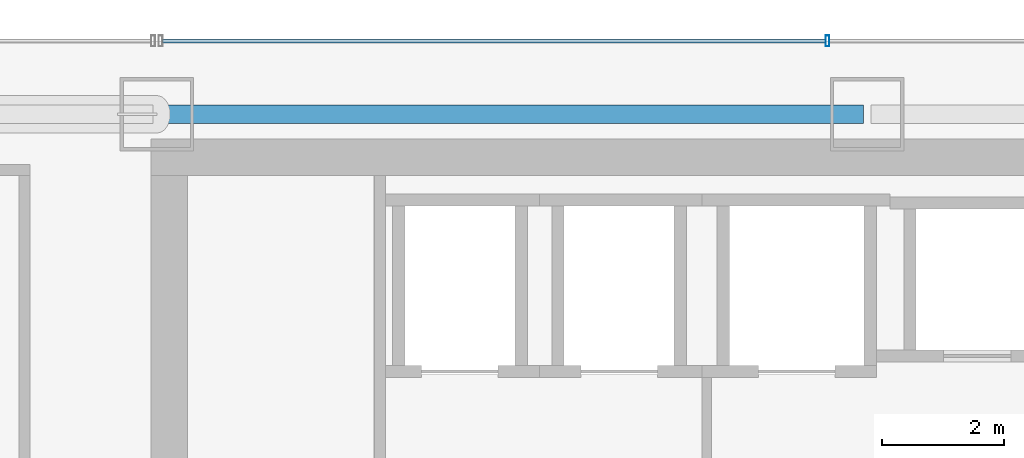
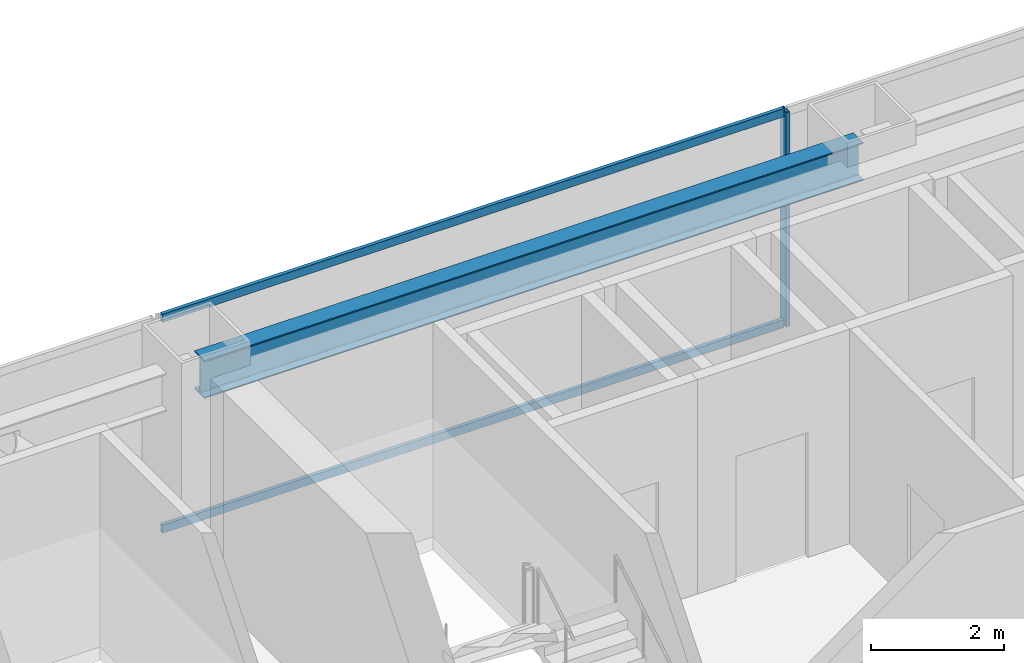
# One storey, part 27 of 47: 3 members, 1 beam, 1 element without a shape of its own.
"""IFC4 building model written with IfcOpenShell, lengths in metres."""

from ifc_helpers import new_model, si_unit, direction, frame, origin, origin_2d, place, context, subcontext, project, spatial, hollow_rectangle, i_section, extrude, material, material_profile, profile_set, type_object, element, aggregate, save


model = new_model("IFC4")

# Units and contexts
model_context = context("Model", 3, precision=1e-05, world=origin(), true_north=direction((0.0, 1.0)))
body_context = subcontext(model_context, "Body", "Model", "MODEL_VIEW")
ifc_project = project(units=[si_unit("LENGTHUNIT", "METRE"), si_unit("AREAUNIT", "SQUARE_METRE"), si_unit("VOLUMEUNIT", "CUBIC_METRE"), si_unit("PLANEANGLEUNIT", "RADIAN"), si_unit("MASSUNIT", "GRAM", prefix="KILO")], contexts=[model_context])

# Site, building, storey
site_placement = place(None, origin())
site = spatial("IfcSite", under=ifc_project, at=site_placement, CompositionType="ELEMENT")
building_placement = place(site_placement, origin())
building = spatial("IfcBuilding", under=site, at=building_placement, Name="Saevonmaru Cultural Tower", CompositionType="ELEMENT")
storey_placement = place(building_placement, frame((0.0, 0.0, 82.39990234375)))
storey = spatial("IfcBuildingStorey", under=building, at=storey_placement, Name="L17", CompositionType="ELEMENT", Elevation=82.39990234375)

# Beam
ifc_material_1 = material(Name="Steel SM355", Category="steel")
ifc_material_profile_1 = material_profile(ifc_material_1, i_section(OverallWidth=0.300048828125, OverallDepth=0.699951171875, WebThickness=0.012939453125, FlangeThickness=0.02392578125, FilletRadius=0.02587890625, at=origin_2d()), Name="H-700x300x13x24")
ifc_profile_set_1 = profile_set([ifc_material_profile_1], Name="Steel SM355")
beam_type = type_object("IfcBeamType", Name="BM-SP-H700", PredefinedType="SPANDREL", material=ifc_profile_set_1)
beam_placement = place(storey_placement, frame((13.659912109375, 54.800048828125, 3.60009765625), z_axis=(1.0, 0.0, 0.0), x_axis=(0.0, 1.0, 0.0)))
element("IfcBeam", 1, at=beam_placement, inside=storey, type_object=beam_type, Name="L17 North Spine Girder 2", PredefinedType="SPANDREL", context=body_context, shape_type="SweptSolid", body=[
    extrude(i_section(OverallWidth=0.300048828125, OverallDepth=0.699951171875, WebThickness=0.012939453125, FlangeThickness=0.02392578125, FilletRadius=0.02587890625, at=origin_2d()), origin(), (0.0, 0.0, 1.0), 11.47998046875),
])

# Curtain wall, members
ifc_material_2 = material(Name="Satin Bronze Anodised Aluminium", Category="aluminium")
curtain_wall_type = type_object("IfcCurtainWallType", Name="CW-TYP-A", PredefinedType="NOTDEFINED", material=ifc_material_2)
curtain_wall_placement = place(storey_placement, origin())
curtain_wall = element("IfcCurtainWall", 2, at=curtain_wall_placement, inside=storey, type_object=curtain_wall_type, Name="L17 North Spine Unitised Curtain Wall E10B", PredefinedType="NOTDEFINED")
ifc_material_profile_2 = material_profile(ifc_material_2, hollow_rectangle(XDim=0.06494140625, YDim=0.179931640625, WallThickness=0.00390625, at=origin_2d()), Name="ALU-MULL-180x65x4")
ifc_profile_set_2 = profile_set([ifc_material_profile_2], Name="Satin Bronze Anodised Aluminium")
member_type_1 = type_object("IfcMemberType", Name="ML-CW-180x65", PredefinedType="MULLION", material=ifc_profile_set_2)
member_1_placement = place(storey_placement, frame((24.55322265625, 56.0, 0.0), z_axis=(0.0, 0.0, 1.0), x_axis=(-1.0, 0.0, 0.0)))
member_1 = element("IfcMember", 3, at=member_1_placement, type_object=member_type_1, Name="CW-TW-L17-E10B mullion 3", PredefinedType="MULLION", context=body_context, shape_type="SweptSolid", body=[
    extrude(hollow_rectangle(XDim=0.06494140625, YDim=0.179931640625, WallThickness=0.00390625, at=origin_2d()), origin(), (0.0, 0.0, 1.0), 3.9501953125),
])
ifc_material_profile_3 = material_profile(ifc_material_2, hollow_rectangle(XDim=0.06494140625, YDim=0.14990234375, WallThickness=0.00390625, at=origin_2d()), Name="ALU-TRAN-150x65x4")
ifc_profile_set_3 = profile_set([ifc_material_profile_3], Name="Satin Bronze Anodised Aluminium")
member_type_2 = type_object("IfcMemberType", Name="TR-CW-150x65", PredefinedType="USERDEFINED", material=ifc_profile_set_3)
member_2_placement = place(storey_placement, frame((24.520751953125, 56.0, 0.03271484375), z_axis=(-1.0, 0.0, 0.0), x_axis=(0.0, -1.0, 0.0)))
member_2 = element("IfcMember", 4, at=member_2_placement, type_object=member_type_2, Name="CW-TW-L17-E10B transom 3.1", ObjectType="TRANSOM", PredefinedType="USERDEFINED", context=body_context, shape_type="SweptSolid", body=[
    extrude(hollow_rectangle(XDim=0.06494140625, YDim=0.14990234375, WallThickness=0.00390625, at=origin_2d()), origin(), (0.0, 0.0, 1.0), 10.828369140625),
])
member_3_placement = place(storey_placement, frame((24.520751953125, 56.0, 3.91748046875), z_axis=(-1.0, 0.0, 0.0), x_axis=(0.0, -1.0, 0.0)))
member_3 = element("IfcMember", 5, at=member_3_placement, type_object=member_type_2, Name="CW-TW-L17-E10B transom 3.2", ObjectType="TRANSOM", PredefinedType="USERDEFINED", context=body_context, shape_type="SweptSolid", body=[
    extrude(hollow_rectangle(XDim=0.06494140625, YDim=0.14990234375, WallThickness=0.00390625, at=origin_2d()), origin(), (0.0, 0.0, 1.0), 10.828369140625),
])
aggregate(curtain_wall, [member_1, member_2, member_3])

save(model, "model.ifc")
